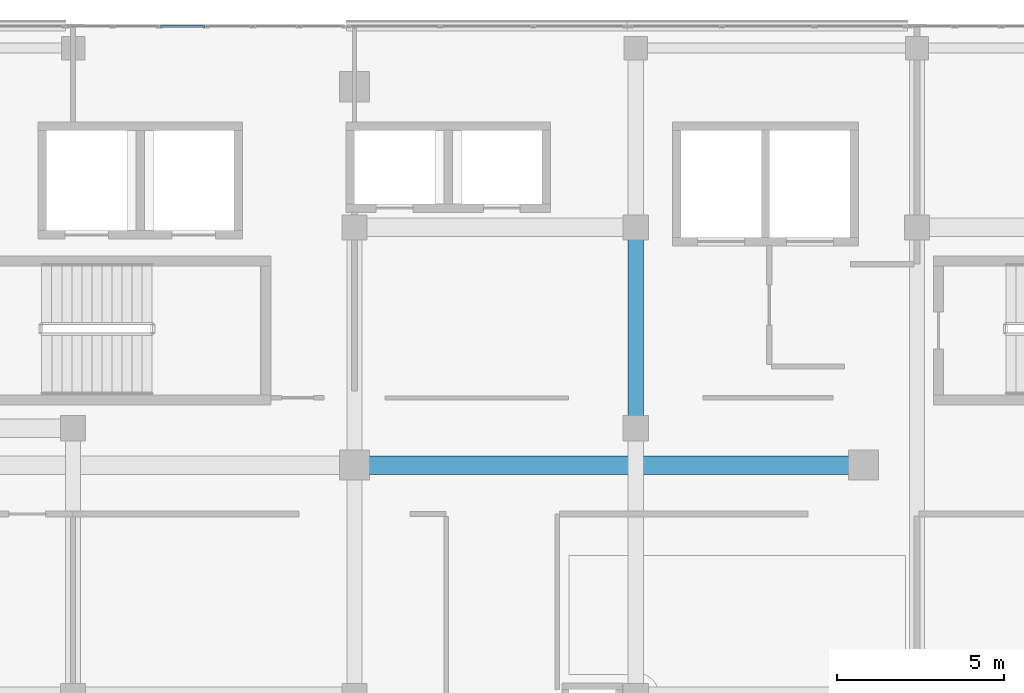
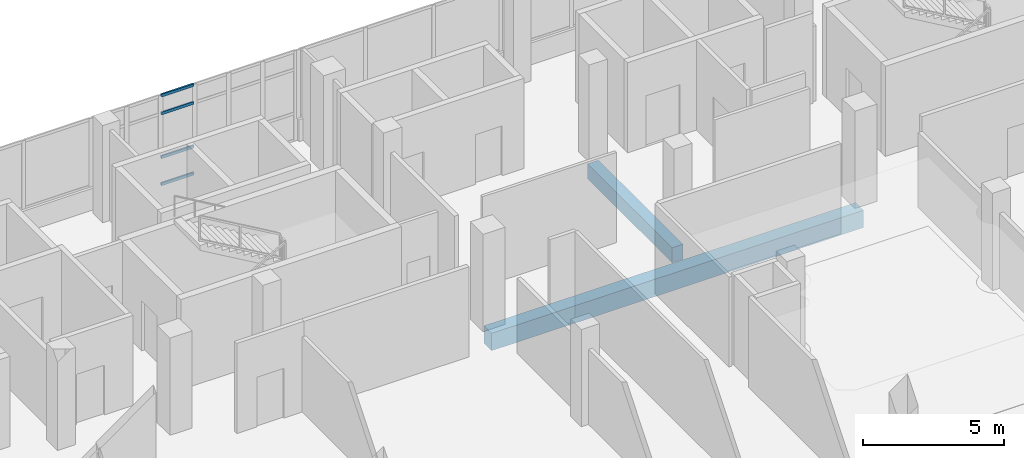
# One storey, part 115 of 184: 4 members, 2 beams, 1 element without a shape of its own.
"""IFC4 building model written with IfcOpenShell, lengths in metres."""

from ifc_helpers import new_model, si_unit, direction, frame, origin, origin_2d, place, context, subcontext, project, spatial, rectangle, hollow_rectangle, extrude, material, material_profile, profile_set, type_object, element, aggregate, save


model = new_model("IFC4")

# Units and contexts
model_context = context("Model", 3, precision=1e-05, world=origin(), true_north=direction((0.0, 1.0)))
body_context = subcontext(model_context, "Body", "Model", "MODEL_VIEW")
ifc_project = project(units=[si_unit("LENGTHUNIT", "METRE"), si_unit("AREAUNIT", "SQUARE_METRE"), si_unit("VOLUMEUNIT", "CUBIC_METRE"), si_unit("PLANEANGLEUNIT", "RADIAN"), si_unit("MASSUNIT", "GRAM", prefix="KILO")], contexts=[model_context])

# Site, building, storey
site_placement = place(None, origin())
site = spatial("IfcSite", under=ifc_project, at=site_placement, CompositionType="ELEMENT")
building_placement = place(site_placement, origin())
building = spatial("IfcBuilding", under=site, at=building_placement, Name="Selatvlak General Hospital", CompositionType="ELEMENT")
storey_placement = place(building_placement, frame((0.0, 0.0, 15.0)))
storey = spatial("IfcBuildingStorey", under=building, at=storey_placement, Name="L03", CompositionType="ELEMENT", Elevation=15.0)

# Beams
ifc_material_1 = material(Name="Concrete C40/50", Category="concrete")
ifc_material_profile_1 = material_profile(ifc_material_1, rectangle(XDim=0.550048828125, YDim=0.75, at=origin_2d()), Name="RC-BM 550x750")
ifc_profile_set_1 = profile_set([ifc_material_profile_1], Name="Concrete C40/50")
beam_type_1 = type_object("IfcBeamType", Name="BM-G02", PredefinedType="BEAM", material=ifc_profile_set_1)
beam_1_placement = place(storey_placement, frame((115.199951171875, 106.89990234375, -0.715087890625), z_axis=(1.0, 0.0, 0.0), x_axis=(0.0, 1.0, 0.0)))
element("IfcBeam", 1, at=beam_1_placement, inside=storey, type_object=beam_type_1, Name="Beam BMR-L03-1247", PredefinedType="BEAM", context=body_context, shape_type="SweptSolid", body=[
    extrude(rectangle(XDim=0.550048828125, YDim=0.75, at=origin_2d()), origin(), (0.0, 0.0, 1.0), 15.199951171875),
])
ifc_material_profile_2 = material_profile(ifc_material_1, rectangle(XDim=0.449951171875, YDim=0.64990234375, at=origin_2d()), Name="RC-BM 450x650")
ifc_profile_set_2 = profile_set([ifc_material_profile_2], Name="Concrete C40/50")
beam_type_2 = type_object("IfcBeamType", Name="BM-G04", PredefinedType="BEAM", material=ifc_profile_set_2)
beam_2_placement = place(storey_placement, frame((123.60009765625, 108.0, -0.6650390625), z_axis=(0.0, 1.0, 0.0), x_axis=(-1.0, 0.0, 0.0)))
element("IfcBeam", 2, at=beam_2_placement, inside=storey, type_object=beam_type_2, Name="Beam BMR-L03-1366", PredefinedType="BEAM", context=body_context, shape_type="SweptSolid", body=[
    extrude(rectangle(XDim=0.449951171875, YDim=0.64990234375, at=origin_2d()), origin(), (0.0, 0.0, 1.0), 6.0),
])

# Curtain wall, members
ifc_material_2 = material(Name="Solar-control Low-E double glazing", Category="glass")
curtain_wall_type = type_object("IfcCurtainWallType", Name="CW-CW-04", PredefinedType="USERDEFINED", material=ifc_material_2)
curtain_wall_placement = place(storey_placement, origin())
curtain_wall = element("IfcCurtainWall", 3, at=curtain_wall_placement, inside=storey, type_object=curtain_wall_type, Name="Glazed facade curtain wall CW-L03-0375", ObjectType="STICK GLAZING WALL", PredefinedType="USERDEFINED")
ifc_material_3 = material(Name="Dark anodised aluminium mullion", Category="aluminium")
ifc_material_profile_3 = material_profile(ifc_material_3, hollow_rectangle(XDim=0.06494140625, YDim=0.1201171875, WallThickness=0.00390625, at=origin_2d()), Name="AL-TRN 65x120x4")
ifc_profile_set_3 = profile_set([ifc_material_profile_3], Name="Dark anodised aluminium mullion")
member_type = type_object("IfcMemberType", Name="CWT-01", PredefinedType="USERDEFINED", material=ifc_profile_set_3)
member_1_placement = place(storey_placement, frame((109.409912109375, 120.0, 0.032470703125), z_axis=(1.0, 0.0, 0.0), x_axis=(0.0, 1.0, 0.0)))
member_1 = element("IfcMember", 4, at=member_1_placement, type_object=member_type, Name="CW-04 transom 3.1", ObjectType="TRANSOM", PredefinedType="USERDEFINED", context=body_context, shape_type="SweptSolid", body=[
    extrude(hollow_rectangle(XDim=0.06494140625, YDim=0.1201171875, WallThickness=0.00390625, at=origin_2d()), origin(), (0.0, 0.0, 1.0), 1.32666015625),
])
member_2_placement = place(storey_placement, frame((109.409912109375, 120.0, 1.199951171875), z_axis=(1.0, 0.0, 0.0), x_axis=(0.0, 1.0, 0.0)))
member_2 = element("IfcMember", 5, at=member_2_placement, type_object=member_type, Name="CW-04 transom 3.2", ObjectType="TRANSOM", PredefinedType="USERDEFINED", context=body_context, shape_type="SweptSolid", body=[
    extrude(hollow_rectangle(XDim=0.06494140625, YDim=0.1201171875, WallThickness=0.00390625, at=origin_2d()), origin(), (0.0, 0.0, 1.0), 1.32666015625),
])
member_3_placement = place(storey_placement, frame((109.409912109375, 120.0, 3.094970703125), z_axis=(1.0, 0.0, 0.0), x_axis=(0.0, 1.0, 0.0)))
member_3 = element("IfcMember", 6, at=member_3_placement, type_object=member_type, Name="CW-04 transom 3.3", ObjectType="TRANSOM", PredefinedType="USERDEFINED", context=body_context, shape_type="SweptSolid", body=[
    extrude(hollow_rectangle(XDim=0.06494140625, YDim=0.1201171875, WallThickness=0.00390625, at=origin_2d()), origin(), (0.0, 0.0, 1.0), 1.32666015625),
])
member_4_placement = place(storey_placement, frame((109.409912109375, 120.0, 3.862548828125), z_axis=(1.0, 0.0, 0.0), x_axis=(0.0, 1.0, 0.0)))
member_4 = element("IfcMember", 7, at=member_4_placement, type_object=member_type, Name="CW-04 transom 3.4", ObjectType="TRANSOM", PredefinedType="USERDEFINED", context=body_context, shape_type="SweptSolid", body=[
    extrude(hollow_rectangle(XDim=0.06494140625, YDim=0.1201171875, WallThickness=0.00390625, at=origin_2d()), origin(), (0.0, 0.0, 1.0), 1.32666015625),
])
aggregate(curtain_wall, [member_1, member_2, member_3, member_4])

save(model, "model.ifc")
